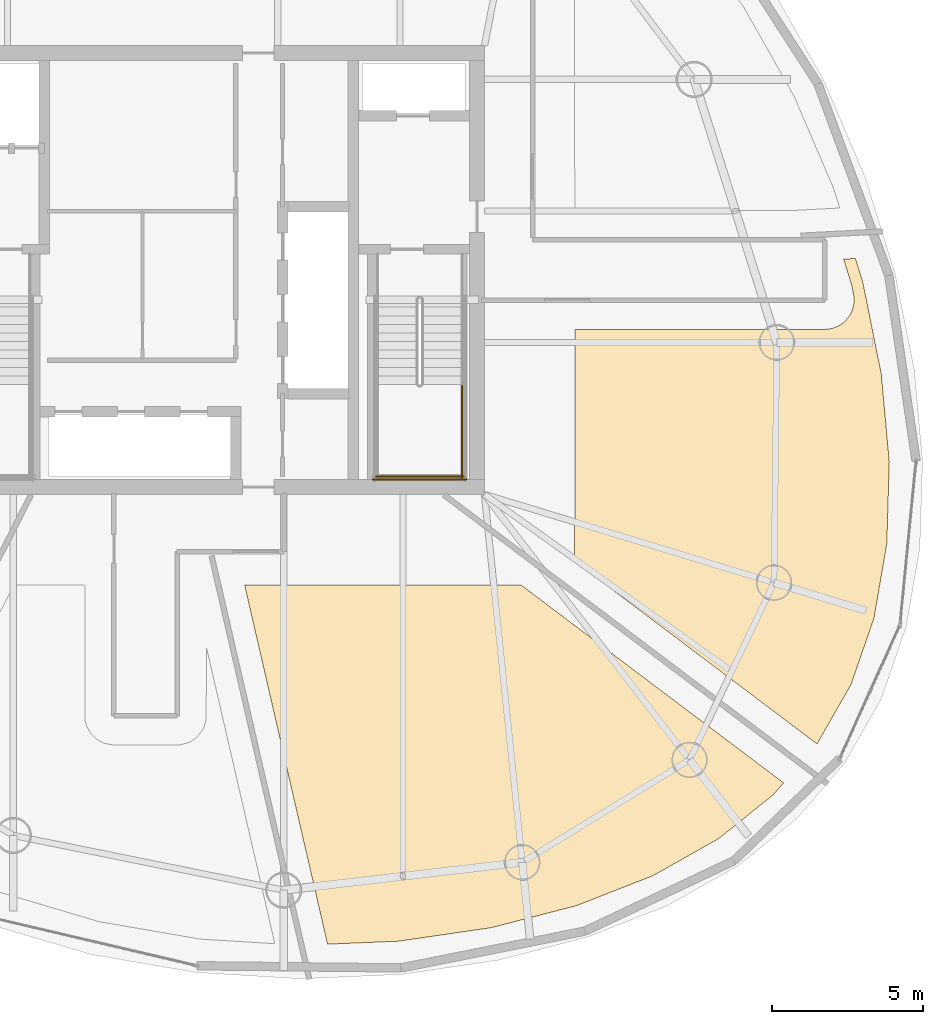
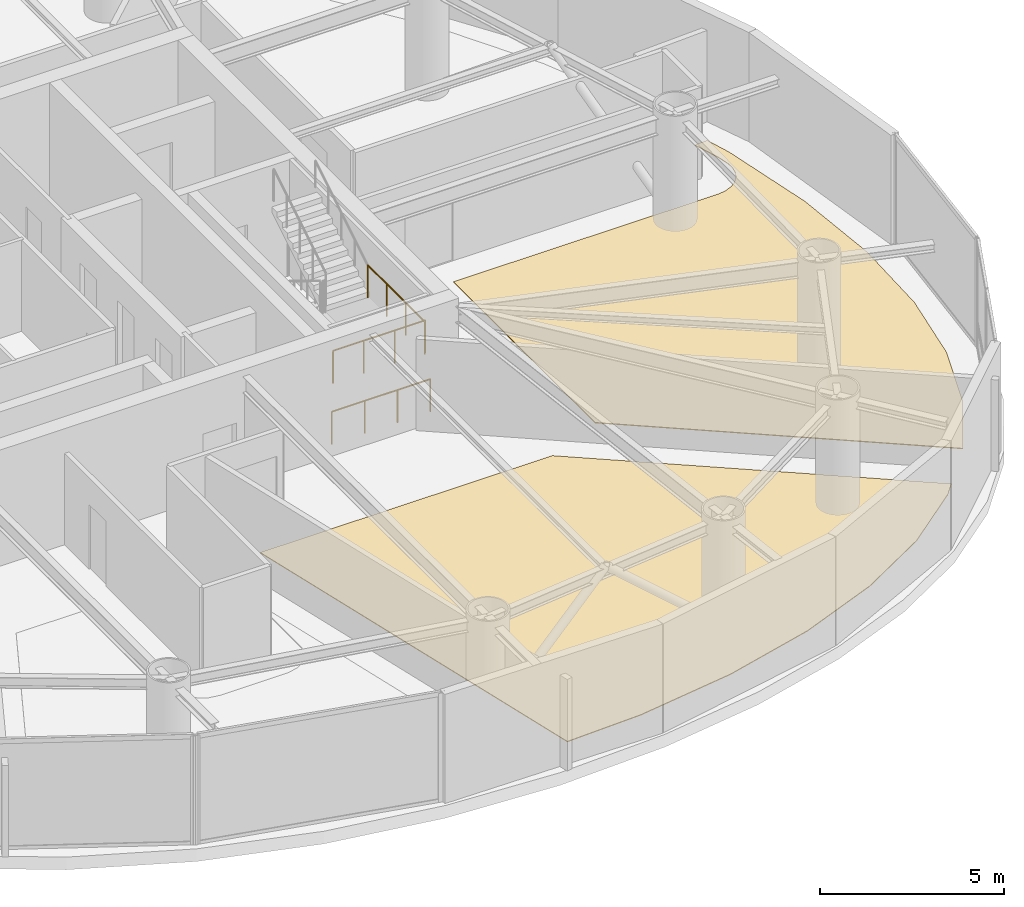
# One storey, part 23 of 25: 3 railings, 2 coverings.
"""IFC4 building model written with IfcOpenShell, lengths in metres."""

from ifc_helpers import new_model, si_unit, direction, frame, origin, origin_2d, place, context, subcontext, project, spatial, polyline, circle, outline, extrude, material, layer, layer_set, type_object, element, save


model = new_model("IFC4")

# Units and contexts
model_context = context("Model", 3, precision=1e-05, world=origin(), true_north=direction((0.0, 1.0)))
body_context = subcontext(model_context, "Body", "Model", "MODEL_VIEW")
ifc_project = project(units=[si_unit("LENGTHUNIT", "METRE"), si_unit("AREAUNIT", "SQUARE_METRE"), si_unit("VOLUMEUNIT", "CUBIC_METRE"), si_unit("PLANEANGLEUNIT", "RADIAN"), si_unit("MASSUNIT", "GRAM", prefix="KILO")], contexts=[model_context])

# Site, building, storey
site_placement = place(None, origin())
site = spatial("IfcSite", under=ifc_project, at=site_placement, CompositionType="ELEMENT")
building_placement = place(site_placement, origin())
building = spatial("IfcBuilding", under=site, at=building_placement, Name="Bramvorn Convention Spire", CompositionType="ELEMENT")
storey_placement = place(building_placement, frame((0.0, 0.0, 171.199951171875)))
storey = spatial("IfcBuildingStorey", under=building, at=storey_placement, Name="L43", CompositionType="ELEMENT", Elevation=171.199951171875)

# Coverings
ifc_material_1 = material(Name="Honed Dolomitic Limestone Terrazzo Flooring", Category="masonry")
ifc_layer = layer(ifc_material_1, 0.02490234375)
ifc_layer_set = layer_set([ifc_layer], Name="Honed Dolomitic Limestone Terrazzo Flooring - FLR-TERRAZZO-25")
covering_type = type_object("IfcCoveringType", Name="FLR-TERRAZZO-25", PredefinedType="FLOORING", material=ifc_layer_set)
covering_1_placement = place(storey_placement, origin())
element("IfcCovering", 1, at=covering_1_placement, inside=storey, type_object=covering_type, Name="L43 High-Rise Reception Concierge 8 raised floor finish", PredefinedType="FLOORING", context=body_context, shape_type="SweptSolid", body=[
    extrude(outline(polyline([(54.84228515625, 5.892578125), (57.0283203125, 7.126220703125), (58.850830078125, 8.591552734375), (59.180419921875, 8.97509765625), (50.455078125, 15.550048828125), (41.284912109375, 15.550048828125), (44.039306640625, 3.619384765625), (46.40087890625, 3.718505859375), (49.47900390625, 4.167724609375), (52.312255859375, 4.900634765625), (54.84228515625, 5.892578125)])), origin(), (0.0, 0.0, 1.0), 0.025146484375),
])
covering_2_placement = place(storey_placement, origin())
element("IfcCovering", 2, at=covering_2_placement, inside=storey, type_object=covering_type, Name="L43 Artisanal Dining Cafe 9 raised floor finish", PredefinedType="FLOORING", context=body_context, shape_type="SweptSolid", body=[
    extrude(outline(polyline([(60.290283203125, 10.267333984375), (61.418212890625, 12.23779296875), (62.18359375, 14.44775390625), (62.60791015625, 16.921630859375), (62.68896484375, 19.637939453125), (62.423828125, 22.552490234375), (61.80908203125, 25.601806640625), (61.565673828125, 26.3837890625), (61.174072265625, 26.36328125), (61.4375, 25.51318359375), (61.511474609375, 25.150390625), (61.521728515625, 24.94873046875), (61.468994140625, 24.680419921875), (61.3828125, 24.49755859375), (61.209716796875, 24.285888671875), (61.047607421875, 24.16552734375), (60.794921875, 24.060791015625), (60.55322265625, 24.030029296875), (52.25, 24.030029296875), (52.24658203125, 16.328857421875), (60.290283203125, 10.267333984375)])), origin(), (0.0, 0.0, 1.0), 0.025146484375),
])

# Railings
ifc_material_2 = material(Name="Painted Steel Balustrade & Guardrail", Category="steel")
railing_type = type_object("IfcRailingType", Name="RL-STAIR-GUARD-1100", PredefinedType="GUARDRAIL", material=ifc_material_2)
railing_1_placement = place(storey_placement, frame((48.5, 22.199951171875, 1.925048828125)))
element("IfcRailing", 3, at=railing_1_placement, inside=storey, type_object=railing_type, Name="L43 ST2 stair guard 4", PredefinedType="GUARDRAIL", context=body_context, shape_type="SweptSolid", body=[
    extrude(circle(Radius=0.02392578125, at=origin_2d()), frame((0.0, 0.0, 1.076171875), z_axis=(0.0, -1.0, 0.0), x_axis=(1.0, 0.0, 0.0)), (0.0, 0.0, 1.0), 3.099853515625),
    extrude(circle(Radius=0.02099609375, at=origin_2d()), origin(), (0.0, 0.0, 1.0), 1.052001953125),
    extrude(circle(Radius=0.02099609375, at=origin_2d()), frame((0.0, -1.033203125, 0.0)), (0.0, 0.0, 1.0), 1.052001953125),
    extrude(circle(Radius=0.02099609375, at=origin_2d()), frame((0.0, -2.066650390625, 0.0)), (0.0, 0.0, 1.0), 1.052001953125),
    extrude(circle(Radius=0.02099609375, at=origin_2d()), frame((0.0, -3.099853515625, 0.0)), (0.0, 0.0, 1.0), 1.052001953125),
])
railing_2_placement = place(storey_placement, frame((45.64990234375, 19.14990234375, 1.925048828125)))
element("IfcRailing", 4, at=railing_2_placement, inside=storey, type_object=railing_type, Name="L43 ST2 stair guard 5", PredefinedType="GUARDRAIL", context=body_context, shape_type="SweptSolid", body=[
    extrude(circle(Radius=0.02392578125, at=origin_2d()), frame((0.0, 0.0, 1.076171875), z_axis=(1.0, 0.0, 0.0), x_axis=(0.0, 1.0, 0.0)), (0.0, 0.0, 1.0), 2.900146484375),
    extrude(circle(Radius=0.02099609375, at=origin_2d()), origin(), (0.0, 0.0, 1.0), 1.052001953125),
    extrude(circle(Radius=0.02099609375, at=origin_2d()), frame((0.966796875, 0.0, 0.0)), (0.0, 0.0, 1.0), 1.052001953125),
    extrude(circle(Radius=0.02099609375, at=origin_2d()), frame((1.933349609375, 0.0, 0.0)), (0.0, 0.0, 1.0), 1.052001953125),
    extrude(circle(Radius=0.02099609375, at=origin_2d()), frame((2.900146484375, 0.0, 0.0)), (0.0, 0.0, 1.0), 1.052001953125),
])
railing_3_placement = place(storey_placement, frame((45.550048828125, 19.050048828125, 0.0)))
element("IfcRailing", 5, at=railing_3_placement, inside=storey, type_object=railing_type, Name="L43 ST2 stair guard 12", PredefinedType="GUARDRAIL", context=body_context, shape_type="SweptSolid", body=[
    extrude(circle(Radius=0.02392578125, at=origin_2d()), frame((0.0, 0.0, 1.076171875), z_axis=(1.0, 0.0, 0.0), x_axis=(0.0, 1.0, 0.0)), (0.0, 0.0, 1.0), 3.099853515625),
    extrude(circle(Radius=0.02099609375, at=origin_2d()), origin(), (0.0, 0.0, 1.0), 1.052001953125),
    extrude(circle(Radius=0.02099609375, at=origin_2d()), frame((1.033203125, 0.0, 0.0)), (0.0, 0.0, 1.0), 1.052001953125),
    extrude(circle(Radius=0.02099609375, at=origin_2d()), frame((2.066650390625, 0.0, 0.0)), (0.0, 0.0, 1.0), 1.052001953125),
    extrude(circle(Radius=0.02099609375, at=origin_2d()), frame((3.099853515625, 0.0, 0.0)), (0.0, 0.0, 1.0), 1.052001953125),
])

save(model, "model.ifc")
